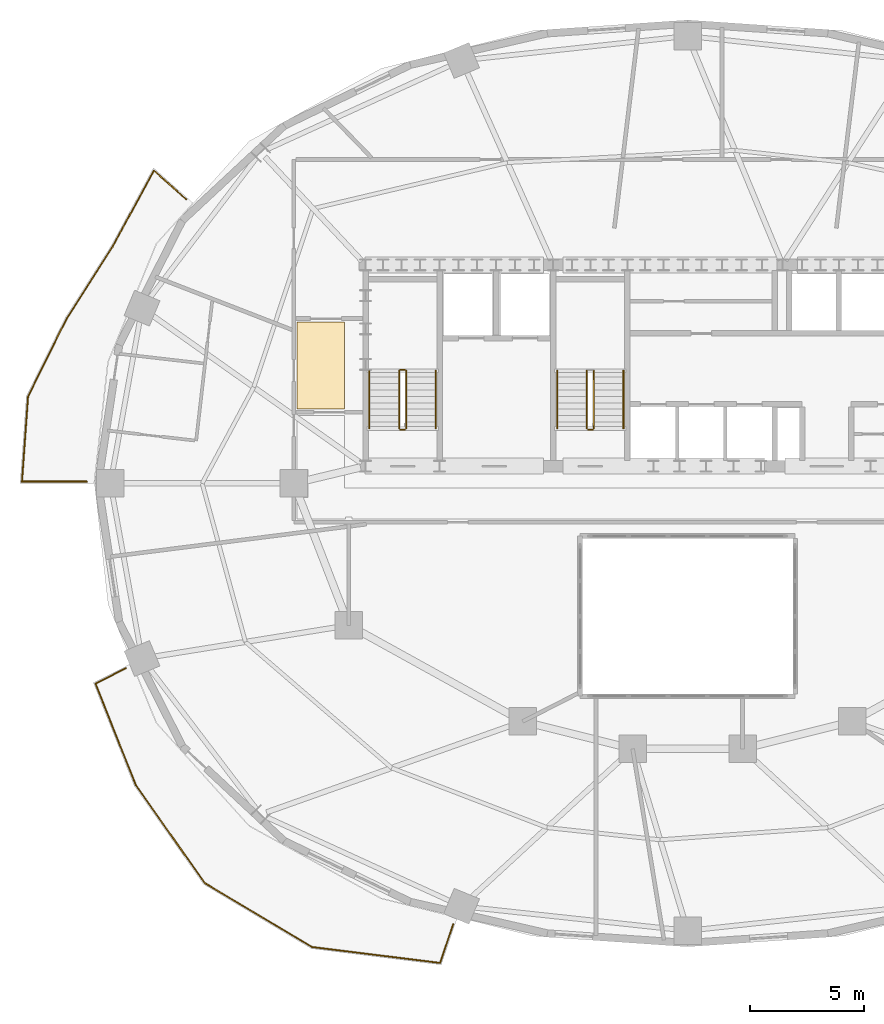
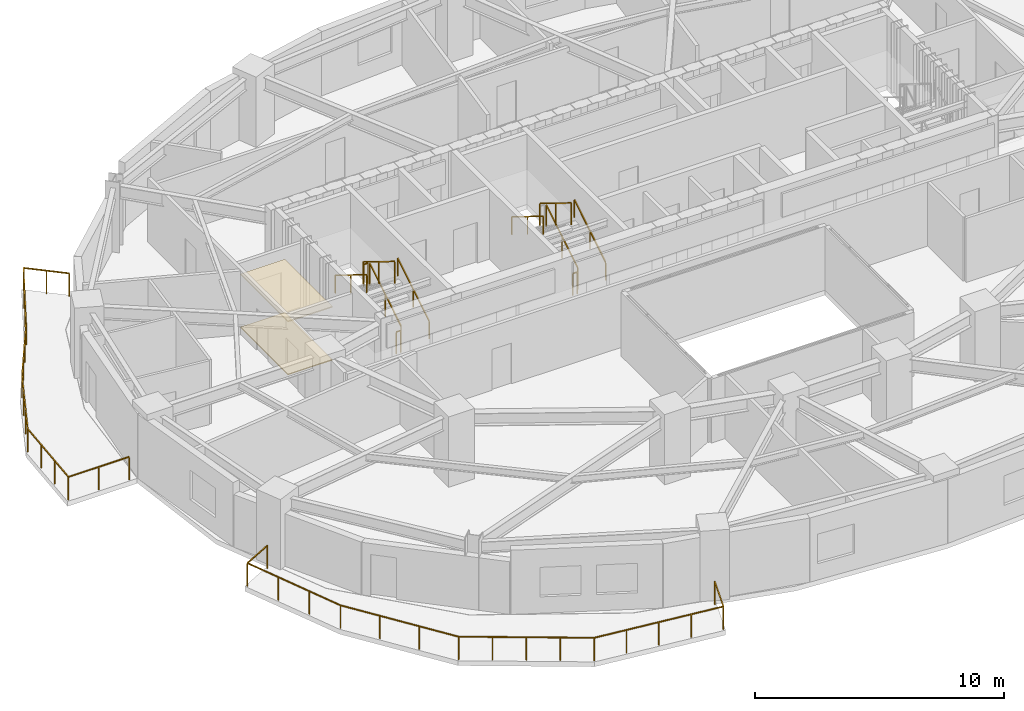
# One storey, part 10 of 12: 13 railings, 2 coverings.
"""IFC4 building model written with IfcOpenShell, lengths in metres."""

import ifcopenshell
import ifcopenshell.guid

model = None  # the IFC model being written
_history = None  # IfcOwnerHistory: only IFC2X3 demands one
_inside = {}  # id of a spatial element -> (the spatial element, [elements in it])
_under = {}  # id of a project, library or spatial element -> (it, [spatial elements below it])
_declared = {}  # id of a project -> (the project, [libraries it declares])
_typed = {}  # id of a type object -> (the type object, [elements of that type])
_made_of = {}  # id of a material, layer set ... -> (it, [elements and type objects made of it])


def new_model(schema):
    """Start an empty IFC model of exactly this schema.

    Asked for "IFC4X3", IfcOpenShell would pick the latest addendum, in which some entities
    have other attributes; the version numbers below select the first issue.
    IFC2X3 requires an IfcOwnerHistory on every rooted entity: one is made here for all.
    """
    global model, _history
    if schema == "IFC4X3":
        model = ifcopenshell.file(schema_version=(4, 3, 0, 0))
    else:
        model = ifcopenshell.file(schema=schema)
    _inside.clear()
    _under.clear()
    _declared.clear()
    _typed.clear()
    _made_of.clear()
    _history = None
    if model.schema == "IFC2X3":
        org = make("IfcOrganization", Name="unknown")
        user = make(
            "IfcPersonAndOrganization",
            ThePerson=make("IfcPerson", FamilyName="unknown"),
            TheOrganization=org,
        )
        app = make(
            "IfcApplication",
            ApplicationDeveloper=org,
            Version="unknown",
            ApplicationFullName="unknown",
            ApplicationIdentifier="unknown",
        )
        _history = make(
            "IfcOwnerHistory",
            OwningUser=user,
            OwningApplication=app,
            ChangeAction="ADDED",
            CreationDate=0,
        )
    return model


def make(cls, **values):
    """One entity of the class cls with the attributes given. An attribute that is None is left unset."""
    return model.create_entity(
        cls, **{name: value for name, value in values.items() if value is not None}
    )


def rooted(cls, **values):
    """An entity with a GlobalId (a new one), such as an element, a storey or a relation."""
    return make(cls, GlobalId=ifcopenshell.guid.new(), OwnerHistory=_history, **values)


def si_unit(unit_type, name, prefix=None):
    """IfcSIUnit, for example si_unit("LENGTHUNIT", "METRE", prefix="MILLI")."""
    return make("IfcSIUnit", UnitType=unit_type, Prefix=prefix, Name=name)


def assignment(units):
    """IfcUnitAssignment: the units of a project."""
    return None if units is None else make("IfcUnitAssignment", Units=units)


def point(xyz):
    """IfcCartesianPoint."""
    return None if xyz is None else make("IfcCartesianPoint", Coordinates=xyz)


def direction(xyz):
    """IfcDirection."""
    return None if xyz is None else make("IfcDirection", DirectionRatios=xyz)


def frame(location, z_axis=None, x_axis=None):
    """IfcAxis2Placement3D, a coordinate frame: its origin and axes. An axis left out is left unset."""
    return make(
        "IfcAxis2Placement3D",
        Location=point(location),
        Axis=direction(z_axis),
        RefDirection=direction(x_axis),
    )


def frame_2d(location, x_axis=None):
    """IfcAxis2Placement2D, a coordinate frame in the plane: its origin and x axis."""
    return make(
        "IfcAxis2Placement2D", Location=point(location), RefDirection=direction(x_axis)
    )


def origin():
    """The frame at (0, 0, 0) with its axes left unset."""
    return frame((0.0, 0.0, 0.0))


def origin_2d():
    """The frame at (0, 0) in the plane with its x axis left unset."""
    return frame_2d((0.0, 0.0))


def place(relative_to, where):
    """IfcLocalPlacement: puts the frame where relative to a parent placement (None: the world)."""
    return make(
        "IfcLocalPlacement", PlacementRelTo=relative_to, RelativePlacement=where
    )


def context(
    kind, dimensions, precision=None, world=None, true_north=None, identifier=None
):
    """IfcGeometricRepresentationContext, for example the 3D "Model" context."""
    return make(
        "IfcGeometricRepresentationContext",
        ContextIdentifier=identifier,
        ContextType=kind,
        CoordinateSpaceDimension=dimensions,
        Precision=precision,
        WorldCoordinateSystem=world,
        TrueNorth=true_north,
    )


def subcontext(parent, identifier, kind, view, scale=None):
    """IfcGeometricRepresentationSubContext, for example "Body" below "Model"."""
    return make(
        "IfcGeometricRepresentationSubContext",
        ContextIdentifier=identifier,
        ContextType=kind,
        ParentContext=parent,
        TargetScale=scale,
        TargetView=view,
    )


def project(units=None, contexts=None):
    """IfcProject with its units and contexts."""
    return rooted(
        "IfcProject",
        Name="project",
        RepresentationContexts=contexts,
        UnitsInContext=assignment(units),
    )


def spatial(cls, under=None, at=None, **own):
    """A site, building, storey or space (cls), placed at a placement, below another one or the project."""
    s = rooted(cls, ObjectPlacement=at, **own)
    if under is not None:
        _under.setdefault(under.id(), (under, []))[1].append(s)
    return s


def polyline(points):
    """IfcPolyline through the points."""
    return make("IfcPolyline", Points=[point(p) for p in points])


def profile(cls, at=None, kind="AREA", **sizes):
    """A parametric profile (cls). Its sizes go by their IFC names, for example OverallWidth=200.0."""
    return make(cls, ProfileType=kind, Position=at, **sizes)


def rectangle(**sizes):
    """IfcRectangleProfileDef."""
    return profile("IfcRectangleProfileDef", **sizes)


def outline(outer, holes=None, kind="AREA"):
    """IfcArbitraryClosedProfileDef: a profile drawn as a closed curve; with holes, ...WithVoids."""
    if holes is None:
        return make("IfcArbitraryClosedProfileDef", ProfileType=kind, OuterCurve=outer)
    return make(
        "IfcArbitraryProfileDefWithVoids",
        ProfileType=kind,
        OuterCurve=outer,
        InnerCurves=holes,
    )


def extrude(swept, where, along, depth):
    """IfcExtrudedAreaSolid: the profile swept, set in the frame where, extruded along a direction by depth."""
    return make(
        "IfcExtrudedAreaSolid",
        SweptArea=swept,
        Position=where,
        ExtrudedDirection=direction(along),
        Depth=depth,
    )


def shape(context_of_items, identifier, shape_type, items):
    """IfcShapeRepresentation: the items that make up one representation, for example the "Body"."""
    return make(
        "IfcShapeRepresentation",
        ContextOfItems=context_of_items,
        RepresentationIdentifier=identifier,
        RepresentationType=shape_type,
        Items=items,
    )


def material(Name=None, Category=None):
    """IfcMaterial."""
    return make("IfcMaterial", Name=Name, Category=Category)


def layer(
    of_material, thickness, ventilated=None, Name=None, Category=None, Priority=None
):
    """IfcMaterialLayer: one layer of a wall or slab, of a material (None: an air gap)."""
    return make(
        "IfcMaterialLayer",
        Material=of_material,
        LayerThickness=thickness,
        IsVentilated=ventilated,
        Name=Name,
        Category=Category,
        Priority=Priority,
    )


def layer_set(layers, Name=None):
    """IfcMaterialLayerSet."""
    return make("IfcMaterialLayerSet", MaterialLayers=layers, LayerSetName=Name)


def made_of(thing, what):
    """Note that an element or type object is made of a material, layer set ...; save() writes the relation."""
    if what is not None:
        _made_of.setdefault(what.id(), (what, []))[1].append(thing)
    return thing


def type_object(cls, material=None, **own):
    """A type object (cls), such as IfcWallType, which elements share."""
    return made_of(rooted(cls, **own), material)


def element(
    cls,
    number,
    at=None,
    inside=None,
    cuts=None,
    type_object=None,
    material=None,
    context=None,
    identifier="Body",
    shape_type=None,
    held_by="IfcProductDefinitionShape",
    body=None,
    shapes=None,
    **own,
):
    """One element of the class cls, such as IfcWall. Its Tag is "e" and its number.

    at: its placement. inside: the storey or other place that contains it. cuts: it is an
    opening in that element (IfcRelVoidsElement). A single representation is given by context,
    identifier, shape_type and body (its items); several are given by shapes. held_by: the class
    of the entity that holds the representations. save() writes the other relations.
    """
    e = rooted(cls, Tag="e%d" % number, ObjectPlacement=at, **own)
    if body is not None:
        shapes = [shape(context, identifier, shape_type, body)]
    if shapes is not None:
        e.Representation = make(held_by, Representations=shapes)
    if inside is not None:
        _inside.setdefault(inside.id(), (inside, []))[1].append(e)
    if cuts is not None:
        rooted(
            "IfcRelVoidsElement", RelatingBuildingElement=cuts, RelatedOpeningElement=e
        )
    if type_object is not None:
        _typed.setdefault(type_object.id(), (type_object, []))[1].append(e)
    return made_of(e, material)


def aggregate(whole, parts):
    """IfcRelAggregates: a whole, such as a stair, and the parts it consists of."""
    return rooted("IfcRelAggregates", RelatingObject=whole, RelatedObjects=parts)


def save(model, path):
    """Write the relations noted so far, then the file.

    IfcRelAggregates (storeys below a building ...), IfcRelContainedInSpatialStructure (elements
    in a storey), IfcRelDefinesByType, IfcRelAssociatesMaterial and IfcRelDeclares: one each for
    every whole, place, type object, material and project.
    """
    for whole, parts in _under.values():
        aggregate(whole, parts)
    for where, things in _inside.values():
        rooted(
            "IfcRelContainedInSpatialStructure",
            RelatedElements=things,
            RelatingStructure=where,
        )
    for kind, things in _typed.values():
        rooted("IfcRelDefinesByType", RelatedObjects=things, RelatingType=kind)
    for what, things in _made_of.values():
        rooted("IfcRelAssociatesMaterial", RelatedObjects=things, RelatingMaterial=what)
    for by, libraries in _declared.values():
        rooted("IfcRelDeclares", RelatingContext=by, RelatedDefinitions=libraries)
    model.write(path)


model = new_model("IFC4")

# Units and contexts
model_context = context("Model", 3, precision=1e-05, world=origin(), true_north=direction((0.0, 1.0)))
body_context = subcontext(model_context, "Body", "Model", "MODEL_VIEW")
ifc_project = project(units=[si_unit("LENGTHUNIT", "METRE"), si_unit("AREAUNIT", "SQUARE_METRE"), si_unit("VOLUMEUNIT", "CUBIC_METRE"), si_unit("PLANEANGLEUNIT", "RADIAN"), si_unit("MASSUNIT", "GRAM", prefix="KILO")], contexts=[model_context])

# Site, building, storey
site_placement = place(None, origin())
site = spatial("IfcSite", under=ifc_project, at=site_placement, CompositionType="ELEMENT")
building_placement = place(site_placement, origin())
building = spatial("IfcBuilding", under=site, at=building_placement, Name="Haldorwick Loom Tower", CompositionType="ELEMENT")
storey_placement = place(building_placement, frame((0.0, 0.0, 146.0)))
storey = spatial("IfcBuildingStorey", under=building, at=storey_placement, Name="L39", CompositionType="ELEMENT", Elevation=146.0)

# Coverings
ifc_material_1 = material(Name="Mineral Fibre Acoustic Ceiling Tile")
ifc_layer_1 = layer(ifc_material_1, 0.054931640625, Name="Mineral Fibre Acoustic Ceiling Tile")
ifc_layer_set_1 = layer_set([ifc_layer_1], Name="Mineral Fibre Acoustic Ceiling Tile")
covering_type_1 = type_object("IfcCoveringType", Name="ARC-COV-CEIL2", PredefinedType="CEILING", material=ifc_layer_set_1)
covering_1_placement = place(storey_placement, frame((0.0, 0.0, 2.594970703125)))
element("IfcCovering", 1, at=covering_1_placement, inside=storey, type_object=covering_type_1, Name="L39 Acoustic Suspended Ceiling 2", PredefinedType="CEILING", context=body_context, shape_type="SweptSolid", body=[
    extrude(outline(polyline([(21.0, 29.239990234375), (21.0, 33.06005859375), (18.93994140625, 33.06005859375), (18.93994140625, 29.239990234375), (21.0, 29.239990234375)])), origin(), (0.0, 0.0, 1.0), 0.054931640625),
])
ifc_material_2 = material(Name="Polished Aggregate Terrazzo Finish")
ifc_layer_2 = layer(ifc_material_2, 0.044921875, Name="Polished Aggregate Terrazzo Finish")
ifc_layer_set_2 = layer_set([ifc_layer_2], Name="Polished Aggregate Terrazzo Finish")
covering_type_2 = type_object("IfcCoveringType", Name="ARC-COV-FLOOR2", PredefinedType="FLOORING", material=ifc_layer_set_2)
covering_2_placement = place(storey_placement, origin())
element("IfcCovering", 2, at=covering_2_placement, inside=storey, type_object=covering_type_2, Name="L39 Floor Finish 2", PredefinedType="FLOORING", context=body_context, shape_type="SweptSolid", body=[
    extrude(outline(polyline([(21.0, 29.239990234375), (21.0, 33.06005859375), (18.93994140625, 33.06005859375), (18.93994140625, 29.239990234375), (21.0, 29.239990234375)])), origin(), (0.0, 0.0, 1.0), 0.044921875),
])

# Railings
ifc_material_3 = material(Name="Galvanized Steel CSA G40.21 350W", Category="steel")
railing_type_1 = type_object("IfcRailingType", Name="ARC-RLG-BAL115", PredefinedType="BALUSTRADE", material=ifc_material_3)
railing_1_placement = place(storey_placement, frame((25.75390625, 6.72900390625, 0.0)))
element("IfcRailing", 3, at=railing_1_placement, inside=storey, type_object=railing_type_1, Name="L39 Outdoor Terrace Guardrail SLB-L39-BAL_SW-1", PredefinedType="BALUSTRADE", context=body_context, shape_type="SweptSolid", body=[
    extrude(rectangle(XDim=0.048095703125, YDim=0.048095703125, at=origin_2d()), frame((0.0, 0.0, 1.1259765625), z_axis=(-0.320886637071, -0.94711760946, 0.0), x_axis=(0.94711760946, -0.320886637071, 0.0)), (0.0, 0.0, 1.0), 1.77490234375),
    extrude(rectangle(XDim=0.048095703125, YDim=0.048095703125, at=origin_2d()), frame((-0.569580078125, -1.68115234375, 1.1259765625), z_axis=(-0.992333036754, 0.123592654179, 0.0), x_axis=(-0.123592654179, -0.992333036754, 0.0)), (0.0, 0.0, 1.0), 5.6416015625),
    extrude(rectangle(XDim=0.048095703125, YDim=0.048095703125, at=origin_2d()), frame((-6.16796875, -0.98388671875, 1.1259765625), z_axis=(-0.858668085407, 0.512532066415, 0.0), x_axis=(-0.512532066415, -0.858668085407, 0.0)), (0.0, 0.0, 1.0), 5.4521484375),
    extrude(rectangle(XDim=0.048095703125, YDim=0.048095703125, at=origin_2d()), frame((-10.849609375, 1.810546875, 1.1259765625), z_axis=(-0.575818159114, 0.817577793017, 0.0), x_axis=(-0.817577793017, -0.575818159114, 0.0)), (0.0, 0.0, 1.0), 5.23193359375),
    extrude(rectangle(XDim=0.048095703125, YDim=0.048095703125, at=origin_2d()), frame((-13.8623046875, 6.088134765625, 1.1259765625), z_axis=(-0.368892536215, 0.929472052686, 0.0), x_axis=(-0.929472052686, -0.368892536215, 0.0)), (0.0, 0.0, 1.0), 4.77099609375),
    extrude(rectangle(XDim=0.048095703125, YDim=0.048095703125, at=origin_2d()), frame((-15.622314453125, 10.522705078125, 1.1259765625), z_axis=(0.892261986487, 0.451518047778, 0.0), x_axis=(-0.451518047778, 0.892261986487, 0.0)), (0.0, 0.0, 1.0), 1.472900390625),
    extrude(rectangle(XDim=0.0419921875, YDim=0.0419921875, at=origin_2d()), origin(), (0.0, 0.0, 1.0), 1.101806640625),
    extrude(rectangle(XDim=0.0419921875, YDim=0.0419921875, at=origin_2d()), frame((-0.569580078125, -1.68115234375, 0.0)), (0.0, 0.0, 1.0), 1.101806640625),
    extrude(rectangle(XDim=0.0419921875, YDim=0.0419921875, at=origin_2d()), frame((-1.96923828125, -1.5068359375, 0.0)), (0.0, 0.0, 1.0), 1.101806640625),
    extrude(rectangle(XDim=0.0419921875, YDim=0.0419921875, at=origin_2d()), frame((-3.36865234375, -1.33251953125, 0.0)), (0.0, 0.0, 1.0), 1.101806640625),
    extrude(rectangle(XDim=0.0419921875, YDim=0.0419921875, at=origin_2d()), frame((-4.768310546875, -1.158203125, 0.0)), (0.0, 0.0, 1.0), 1.101806640625),
    extrude(rectangle(XDim=0.0419921875, YDim=0.0419921875, at=origin_2d()), frame((-6.16796875, -0.98388671875, 0.0)), (0.0, 0.0, 1.0), 1.101806640625),
    extrude(rectangle(XDim=0.0419921875, YDim=0.0419921875, at=origin_2d()), frame((-7.33837890625, -0.28515625, 0.0)), (0.0, 0.0, 1.0), 1.101806640625),
    extrude(rectangle(XDim=0.0419921875, YDim=0.0419921875, at=origin_2d()), frame((-8.5087890625, 0.413330078125, 0.0)), (0.0, 0.0, 1.0), 1.101806640625),
    extrude(rectangle(XDim=0.0419921875, YDim=0.0419921875, at=origin_2d()), frame((-9.67919921875, 1.11181640625, 0.0)), (0.0, 0.0, 1.0), 1.101806640625),
    extrude(rectangle(XDim=0.0419921875, YDim=0.0419921875, at=origin_2d()), frame((-10.849609375, 1.810546875, 0.0)), (0.0, 0.0, 1.0), 1.101806640625),
    extrude(rectangle(XDim=0.0419921875, YDim=0.0419921875, at=origin_2d()), frame((-11.853759765625, 3.236328125, 0.0)), (0.0, 0.0, 1.0), 1.101806640625),
    extrude(rectangle(XDim=0.0419921875, YDim=0.0419921875, at=origin_2d()), frame((-12.858154296875, 4.662353515625, 0.0)), (0.0, 0.0, 1.0), 1.101806640625),
    extrude(rectangle(XDim=0.0419921875, YDim=0.0419921875, at=origin_2d()), frame((-13.8623046875, 6.088134765625, 0.0)), (0.0, 0.0, 1.0), 1.101806640625),
    extrude(rectangle(XDim=0.0419921875, YDim=0.0419921875, at=origin_2d()), frame((-14.448974609375, 7.56640625, 0.0)), (0.0, 0.0, 1.0), 1.101806640625),
    extrude(rectangle(XDim=0.0419921875, YDim=0.0419921875, at=origin_2d()), frame((-15.03564453125, 9.04443359375, 0.0)), (0.0, 0.0, 1.0), 1.101806640625),
    extrude(rectangle(XDim=0.0419921875, YDim=0.0419921875, at=origin_2d()), frame((-15.622314453125, 10.522705078125, 0.0)), (0.0, 0.0, 1.0), 1.101806640625),
    extrude(rectangle(XDim=0.0419921875, YDim=0.0419921875, at=origin_2d()), frame((-14.30810546875, 11.187744140625, 0.0)), (0.0, 0.0, 1.0), 1.101806640625),
])
railing_2_placement = place(storey_placement, frame((9.73974609375, 26.080078125, 0.0)))
element("IfcRailing", 4, at=railing_2_placement, inside=storey, type_object=railing_type_1, Name="L39 Outdoor Terrace Guardrail SLB-L39-BAL_WNW-1", PredefinedType="BALUSTRADE", context=body_context, shape_type="SweptSolid", body=[
    extrude(rectangle(XDim=0.048095703125, YDim=0.048095703125, at=origin_2d()), frame((0.0, 0.0, 1.1259765625), z_axis=(-1.0, 0.0, 0.0), x_axis=(0.0, -1.0, 0.0)), (0.0, 0.0, 1.0), 2.82080078125),
    extrude(rectangle(XDim=0.048095703125, YDim=0.048095703125, at=origin_2d()), frame((-2.82080078125, 0.0, 1.1259765625), z_axis=(0.071391076537, 0.997448401769, 0.0), x_axis=(-0.997448401769, 0.071391076537, 0.0)), (0.0, 0.0, 1.0), 3.734375),
    extrude(rectangle(XDim=0.048095703125, YDim=0.048095703125, at=origin_2d()), frame((-2.55419921875, 3.724853515625, 1.1259765625), z_axis=(0.445570186233, 0.895247010127, 0.0), x_axis=(-0.895247010127, 0.445570186233, 0.0)), (0.0, 0.0, 1.0), 3.804931640625),
    extrude(rectangle(XDim=0.048095703125, YDim=0.048095703125, at=origin_2d()), frame((-0.85888671875, 7.131103515625, 1.1259765625), z_axis=(0.537781060041, 0.843084533995, 0.0), x_axis=(-0.843084533995, 0.537781060041, 0.0)), (0.0, 0.0, 1.0), 3.71435546875),
    extrude(rectangle(XDim=0.048095703125, YDim=0.048095703125, at=origin_2d()), frame((1.138671875, 10.2626953125, 1.1259765625), z_axis=(0.501036270542, 0.865426285481, 0.0), x_axis=(-0.865426285481, 0.501036270542, 0.0)), (0.0, 0.0, 1.0), 0.00537109375),
    extrude(rectangle(XDim=0.048095703125, YDim=0.048095703125, at=origin_2d()), frame((1.141357421875, 10.267333984375, 1.1259765625), z_axis=(0.477375598096, 0.878699344681, 0.0), x_axis=(-0.878699344681, 0.477375598096, 0.0)), (0.0, 0.0, 1.0), 3.7783203125),
    extrude(rectangle(XDim=0.048095703125, YDim=0.048095703125, at=origin_2d()), frame((2.945068359375, 13.58740234375, 1.1259765625), z_axis=(0.745995297982, -0.665951210967, 0.0), x_axis=(0.665951210967, 0.745995297982, 0.0)), (0.0, 0.0, 1.0), 1.87890625),
    extrude(rectangle(XDim=0.0419921875, YDim=0.0419921875, at=origin_2d()), origin(), (0.0, 0.0, 1.0), 1.101806640625),
    extrude(rectangle(XDim=0.0419921875, YDim=0.0419921875, at=origin_2d()), frame((-1.410400390625, 0.0, 0.0)), (0.0, 0.0, 1.0), 1.101806640625),
    extrude(rectangle(XDim=0.0419921875, YDim=0.0419921875, at=origin_2d()), frame((-2.82080078125, 0.0, 0.0)), (0.0, 0.0, 1.0), 1.101806640625),
    extrude(rectangle(XDim=0.0419921875, YDim=0.0419921875, at=origin_2d()), frame((-2.73193359375, 1.24169921875, 0.0)), (0.0, 0.0, 1.0), 1.101806640625),
    extrude(rectangle(XDim=0.0419921875, YDim=0.0419921875, at=origin_2d()), frame((-2.64306640625, 2.483154296875, 0.0)), (0.0, 0.0, 1.0), 1.101806640625),
    extrude(rectangle(XDim=0.0419921875, YDim=0.0419921875, at=origin_2d()), frame((-2.55419921875, 3.724853515625, 0.0)), (0.0, 0.0, 1.0), 1.101806640625),
    extrude(rectangle(XDim=0.0419921875, YDim=0.0419921875, at=origin_2d()), frame((-1.989013671875, 4.8603515625, 0.0)), (0.0, 0.0, 1.0), 1.101806640625),
    extrude(rectangle(XDim=0.0419921875, YDim=0.0419921875, at=origin_2d()), frame((-1.424072265625, 5.99560546875, 0.0)), (0.0, 0.0, 1.0), 1.101806640625),
    extrude(rectangle(XDim=0.0419921875, YDim=0.0419921875, at=origin_2d()), frame((-0.85888671875, 7.131103515625, 0.0)), (0.0, 0.0, 1.0), 1.101806640625),
    extrude(rectangle(XDim=0.0419921875, YDim=0.0419921875, at=origin_2d()), frame((-0.193115234375, 8.175048828125, 0.0)), (0.0, 0.0, 1.0), 1.101806640625),
    extrude(rectangle(XDim=0.0419921875, YDim=0.0419921875, at=origin_2d()), frame((0.472900390625, 9.21875, 0.0)), (0.0, 0.0, 1.0), 1.101806640625),
    extrude(rectangle(XDim=0.0419921875, YDim=0.0419921875, at=origin_2d()), frame((1.138671875, 10.2626953125, 0.0)), (0.0, 0.0, 1.0), 1.101806640625),
    extrude(rectangle(XDim=0.0419921875, YDim=0.0419921875, at=origin_2d()), frame((1.74267578125, 11.3740234375, 0.0)), (0.0, 0.0, 1.0), 1.101806640625),
    extrude(rectangle(XDim=0.0419921875, YDim=0.0419921875, at=origin_2d()), frame((2.34375, 12.480712890625, 0.0)), (0.0, 0.0, 1.0), 1.101806640625),
    extrude(rectangle(XDim=0.0419921875, YDim=0.0419921875, at=origin_2d()), frame((2.945068359375, 13.58740234375, 0.0)), (0.0, 0.0, 1.0), 1.101806640625),
    extrude(rectangle(XDim=0.0419921875, YDim=0.0419921875, at=origin_2d()), frame((3.64599609375, 12.9619140625, 0.0)), (0.0, 0.0, 1.0), 1.101806640625),
    extrude(rectangle(XDim=0.0419921875, YDim=0.0419921875, at=origin_2d()), frame((4.3466796875, 12.336181640625, 0.0)), (0.0, 0.0, 1.0), 1.101806640625),
])
ifc_material_4 = material(Name="Steel CSA G40.21 350W", Category="steel")
railing_type_2 = type_object("IfcRailingType", Name="ARC-RLG-GUARD112", PredefinedType="GUARDRAIL", material=ifc_material_4)
railing_3_placement = place(storey_placement, frame((23.699951171875, 28.39990234375, 0.172607421875)))
element("IfcRailing", 5, at=railing_3_placement, inside=storey, type_object=railing_type_2, Name="L39 ST-01 stair guard 1", PredefinedType="GUARDRAIL", context=body_context, shape_type="SweptSolid", body=[
    extrude(rectangle(XDim=0.048095703125, YDim=0.048095703125, at=origin_2d()), frame((0.0, 0.0, 1.076171875), z_axis=(0.0, 0.851400495292, 0.524516154772), x_axis=(-1.0, 0.0, 0.0)), (0.0, 0.0, 1.0), 2.9599609375),
    extrude(rectangle(XDim=0.0419921875, YDim=0.0419921875, at=origin_2d()), origin(), (0.0, 0.0, 1.0), 1.052001953125),
    extrude(rectangle(XDim=0.0419921875, YDim=0.0419921875, at=origin_2d()), frame((0.0, 1.260009765625, 0.7763671875)), (0.0, 0.0, 1.0), 1.052001953125),
    extrude(rectangle(XDim=0.0419921875, YDim=0.0419921875, at=origin_2d()), frame((0.0, 2.52001953125, 1.552490234375)), (0.0, 0.0, 1.0), 1.052001953125),
])
railing_4_placement = place(storey_placement, frame((23.64990234375, 30.969970703125, 1.72509765625)))
element("IfcRailing", 6, at=railing_4_placement, inside=storey, type_object=railing_type_2, Name="L39 ST-01 stair guard 2", PredefinedType="GUARDRAIL", context=body_context, shape_type="SweptSolid", body=[
    extrude(rectangle(XDim=0.048095703125, YDim=0.048095703125, at=origin_2d()), frame((0.0, 0.0, 1.076171875), z_axis=(-1.0, 0.0, 0.0), x_axis=(0.0, -1.0, 0.0)), (0.0, 0.0, 1.0), 0.199951171875),
    extrude(rectangle(XDim=0.0419921875, YDim=0.0419921875, at=origin_2d()), origin(), (0.0, 0.0, 1.0), 1.052001953125),
    extrude(rectangle(XDim=0.0419921875, YDim=0.0419921875, at=origin_2d()), frame((-0.199951171875, 0.0, 0.0)), (0.0, 0.0, 1.0), 1.052001953125),
])
railing_5_placement = place(storey_placement, frame((23.39990234375, 30.919921875, 1.8974609375)))
element("IfcRailing", 7, at=railing_5_placement, inside=storey, type_object=railing_type_2, Name="L39 ST-01 stair guard 3", PredefinedType="GUARDRAIL", context=body_context, shape_type="SweptSolid", body=[
    extrude(rectangle(XDim=0.048095703125, YDim=0.048095703125, at=origin_2d()), frame((0.0, 0.0, 1.076171875), z_axis=(0.0, -0.851400495292, 0.524516154772), x_axis=(1.0, 0.0, 0.0)), (0.0, 0.0, 1.0), 2.9599609375),
    extrude(rectangle(XDim=0.0419921875, YDim=0.0419921875, at=origin_2d()), origin(), (0.0, 0.0, 1.0), 1.052001953125),
    extrude(rectangle(XDim=0.0419921875, YDim=0.0419921875, at=origin_2d()), frame((0.0, -1.260009765625, 0.7763671875)), (0.0, 0.0, 1.0), 1.052001953125),
    extrude(rectangle(XDim=0.0419921875, YDim=0.0419921875, at=origin_2d()), frame((0.0, -2.52001953125, 1.552490234375)), (0.0, 0.0, 1.0), 1.052001953125),
])
railing_6_placement = place(storey_placement, frame((23.64990234375, 28.35009765625, 0.0)))
element("IfcRailing", 8, at=railing_6_placement, inside=storey, type_object=railing_type_2, Name="L39 ST-01 stair guard 4", PredefinedType="GUARDRAIL", context=body_context, shape_type="SweptSolid", body=[
    extrude(rectangle(XDim=0.048095703125, YDim=0.048095703125, at=origin_2d()), frame((0.0, 0.0, 1.076171875), z_axis=(-1.0, 0.0, 0.0), x_axis=(0.0, -1.0, 0.0)), (0.0, 0.0, 1.0), 0.199951171875),
    extrude(rectangle(XDim=0.0419921875, YDim=0.0419921875, at=origin_2d()), origin(), (0.0, 0.0, 1.0), 1.052001953125),
    extrude(rectangle(XDim=0.0419921875, YDim=0.0419921875, at=origin_2d()), frame((-0.199951171875, 0.0, 0.0)), (0.0, 0.0, 1.0), 1.052001953125),
])
railing_7_placement = place(storey_placement, frame((31.89990234375, 28.39990234375, 0.172607421875)))
element("IfcRailing", 9, at=railing_7_placement, inside=storey, type_object=railing_type_2, Name="L39 ST-03 stair guard 1", PredefinedType="GUARDRAIL", context=body_context, shape_type="SweptSolid", body=[
    extrude(rectangle(XDim=0.048095703125, YDim=0.048095703125, at=origin_2d()), frame((0.0, 0.0, 1.076171875), z_axis=(0.0, 0.851400495292, 0.524516154772), x_axis=(-1.0, 0.0, 0.0)), (0.0, 0.0, 1.0), 2.9599609375),
    extrude(rectangle(XDim=0.0419921875, YDim=0.0419921875, at=origin_2d()), origin(), (0.0, 0.0, 1.0), 1.052001953125),
    extrude(rectangle(XDim=0.0419921875, YDim=0.0419921875, at=origin_2d()), frame((0.0, 1.260009765625, 0.7763671875)), (0.0, 0.0, 1.0), 1.052001953125),
    extrude(rectangle(XDim=0.0419921875, YDim=0.0419921875, at=origin_2d()), frame((0.0, 2.52001953125, 1.552490234375)), (0.0, 0.0, 1.0), 1.052001953125),
])
railing_8_placement = place(storey_placement, frame((31.60009765625, 30.919921875, 1.8974609375)))
element("IfcRailing", 10, at=railing_8_placement, inside=storey, type_object=railing_type_2, Name="L39 ST-03 stair guard 3", PredefinedType="GUARDRAIL", context=body_context, shape_type="SweptSolid", body=[
    extrude(rectangle(XDim=0.048095703125, YDim=0.048095703125, at=origin_2d()), frame((0.0, 0.0, 1.076171875), z_axis=(0.0, -0.851400495292, 0.524516154772), x_axis=(1.0, 0.0, 0.0)), (0.0, 0.0, 1.0), 2.9599609375),
    extrude(rectangle(XDim=0.0419921875, YDim=0.0419921875, at=origin_2d()), origin(), (0.0, 0.0, 1.0), 1.052001953125),
    extrude(rectangle(XDim=0.0419921875, YDim=0.0419921875, at=origin_2d()), frame((0.0, -1.260009765625, 0.7763671875)), (0.0, 0.0, 1.0), 1.052001953125),
    extrude(rectangle(XDim=0.0419921875, YDim=0.0419921875, at=origin_2d()), frame((0.0, -2.52001953125, 1.552490234375)), (0.0, 0.0, 1.0), 1.052001953125),
])
railing_9_placement = place(storey_placement, frame((31.85009765625, 28.35009765625, 0.0)))
element("IfcRailing", 11, at=railing_9_placement, inside=storey, type_object=railing_type_2, Name="L39 ST-03 stair guard 4", PredefinedType="GUARDRAIL", context=body_context, shape_type="SweptSolid", body=[
    extrude(rectangle(XDim=0.048095703125, YDim=0.048095703125, at=origin_2d()), frame((0.0, 0.0, 1.076171875), z_axis=(-1.0, 0.0, 0.0), x_axis=(0.0, -1.0, 0.0)), (0.0, 0.0, 1.0), 0.2001953125),
    extrude(rectangle(XDim=0.0419921875, YDim=0.0419921875, at=origin_2d()), origin(), (0.0, 0.0, 1.0), 1.052001953125),
    extrude(rectangle(XDim=0.0419921875, YDim=0.0419921875, at=origin_2d()), frame((-0.2001953125, 0.0, 0.0)), (0.0, 0.0, 1.0), 1.052001953125),
])
railing_type_3 = type_object("IfcRailingType", Name="ARC-RLG-HAND092", PredefinedType="HANDRAIL", material=ifc_material_4)
railing_10_placement = place(storey_placement, frame((25.0, 28.39990234375, 0.172607421875)))
element("IfcRailing", 12, at=railing_10_placement, inside=storey, type_object=railing_type_3, Name="L39 ST-01 stair handrail 1", PredefinedType="HANDRAIL", context=body_context, shape_type="SweptSolid", body=[
    extrude(rectangle(XDim=0.048095703125, YDim=0.048095703125, at=origin_2d()), frame((0.0, 0.0, 0.8759765625), z_axis=(0.0, 0.851400495292, 0.524516154772), x_axis=(-1.0, 0.0, 0.0)), (0.0, 0.0, 1.0), 2.9599609375),
    extrude(rectangle(XDim=0.0419921875, YDim=0.0419921875, at=origin_2d()), origin(), (0.0, 0.0, 1.0), 0.851806640625),
    extrude(rectangle(XDim=0.0419921875, YDim=0.0419921875, at=origin_2d()), frame((0.0, 1.260009765625, 0.7763671875)), (0.0, 0.0, 1.0), 0.851806640625),
    extrude(rectangle(XDim=0.0419921875, YDim=0.0419921875, at=origin_2d()), frame((0.0, 2.52001953125, 1.552490234375)), (0.0, 0.0, 1.0), 0.851806640625),
])
railing_11_placement = place(storey_placement, frame((22.10009765625, 30.919921875, 1.8974609375)))
element("IfcRailing", 13, at=railing_11_placement, inside=storey, type_object=railing_type_3, Name="L39 ST-01 stair handrail 2", PredefinedType="HANDRAIL", context=body_context, shape_type="SweptSolid", body=[
    extrude(rectangle(XDim=0.048095703125, YDim=0.048095703125, at=origin_2d()), frame((0.0, 0.0, 0.8759765625), z_axis=(0.0, -0.851400495292, 0.524516154772), x_axis=(1.0, 0.0, 0.0)), (0.0, 0.0, 1.0), 2.9599609375),
    extrude(rectangle(XDim=0.0419921875, YDim=0.0419921875, at=origin_2d()), origin(), (0.0, 0.0, 1.0), 0.851806640625),
    extrude(rectangle(XDim=0.0419921875, YDim=0.0419921875, at=origin_2d()), frame((0.0, -1.260009765625, 0.7763671875)), (0.0, 0.0, 1.0), 0.851806640625),
    extrude(rectangle(XDim=0.0419921875, YDim=0.0419921875, at=origin_2d()), frame((0.0, -2.52001953125, 1.552490234375)), (0.0, 0.0, 1.0), 0.851806640625),
])
railing_12_placement = place(storey_placement, frame((33.199951171875, 28.39990234375, 0.172607421875)))
element("IfcRailing", 14, at=railing_12_placement, inside=storey, type_object=railing_type_3, Name="L39 ST-03 stair handrail 1", PredefinedType="HANDRAIL", context=body_context, shape_type="SweptSolid", body=[
    extrude(rectangle(XDim=0.048095703125, YDim=0.048095703125, at=origin_2d()), frame((0.0, 0.0, 0.8759765625), z_axis=(0.0, 0.851400495292, 0.524516154772), x_axis=(-1.0, 0.0, 0.0)), (0.0, 0.0, 1.0), 2.9599609375),
    extrude(rectangle(XDim=0.0419921875, YDim=0.0419921875, at=origin_2d()), origin(), (0.0, 0.0, 1.0), 0.851806640625),
    extrude(rectangle(XDim=0.0419921875, YDim=0.0419921875, at=origin_2d()), frame((0.0, 1.260009765625, 0.7763671875)), (0.0, 0.0, 1.0), 0.851806640625),
    extrude(rectangle(XDim=0.0419921875, YDim=0.0419921875, at=origin_2d()), frame((0.0, 2.52001953125, 1.552490234375)), (0.0, 0.0, 1.0), 0.851806640625),
])
railing_13_placement = place(storey_placement, frame((30.300048828125, 30.919921875, 1.8974609375)))
element("IfcRailing", 15, at=railing_13_placement, inside=storey, type_object=railing_type_3, Name="L39 ST-03 stair handrail 2", PredefinedType="HANDRAIL", context=body_context, shape_type="SweptSolid", body=[
    extrude(rectangle(XDim=0.048095703125, YDim=0.048095703125, at=origin_2d()), frame((0.0, 0.0, 0.8759765625), z_axis=(0.0, -0.851400495292, 0.524516154772), x_axis=(1.0, 0.0, 0.0)), (0.0, 0.0, 1.0), 2.9599609375),
    extrude(rectangle(XDim=0.0419921875, YDim=0.0419921875, at=origin_2d()), origin(), (0.0, 0.0, 1.0), 0.851806640625),
    extrude(rectangle(XDim=0.0419921875, YDim=0.0419921875, at=origin_2d()), frame((0.0, -1.260009765625, 0.7763671875)), (0.0, 0.0, 1.0), 0.851806640625),
    extrude(rectangle(XDim=0.0419921875, YDim=0.0419921875, at=origin_2d()), frame((0.0, -2.52001953125, 1.552490234375)), (0.0, 0.0, 1.0), 0.851806640625),
])

save(model, "model.ifc")
